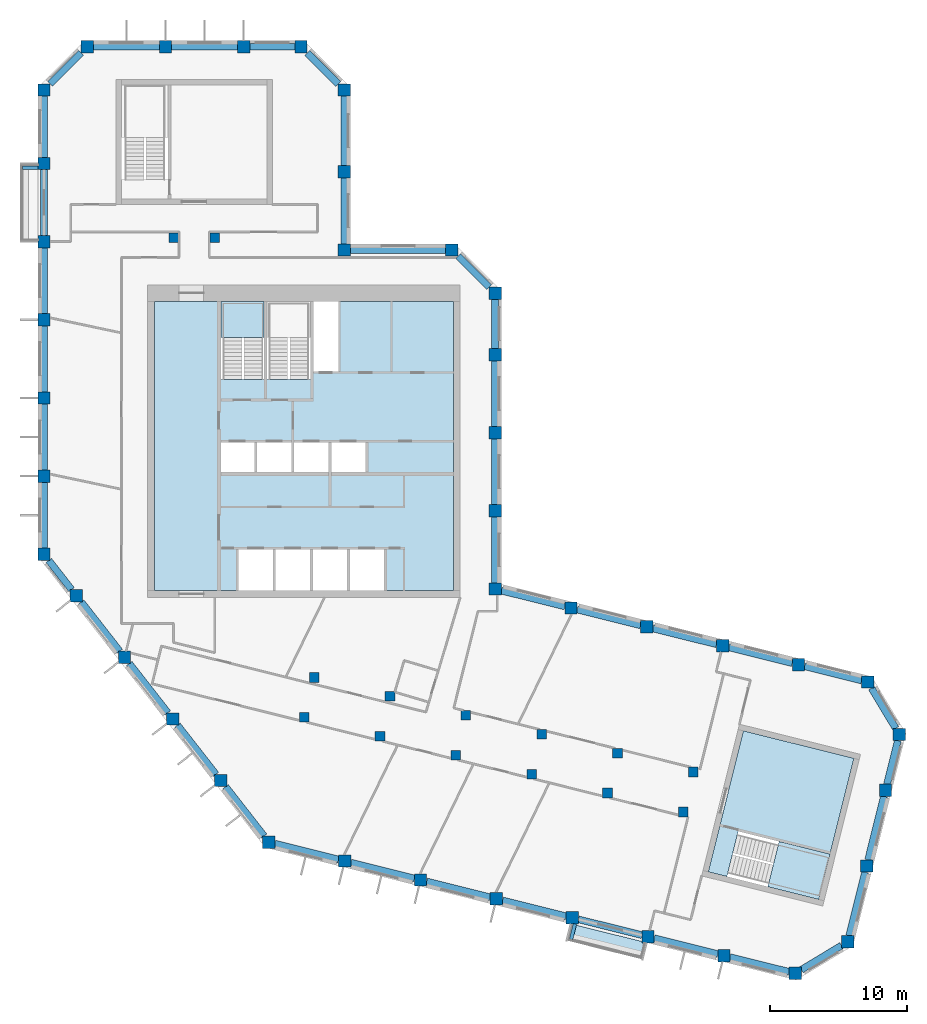
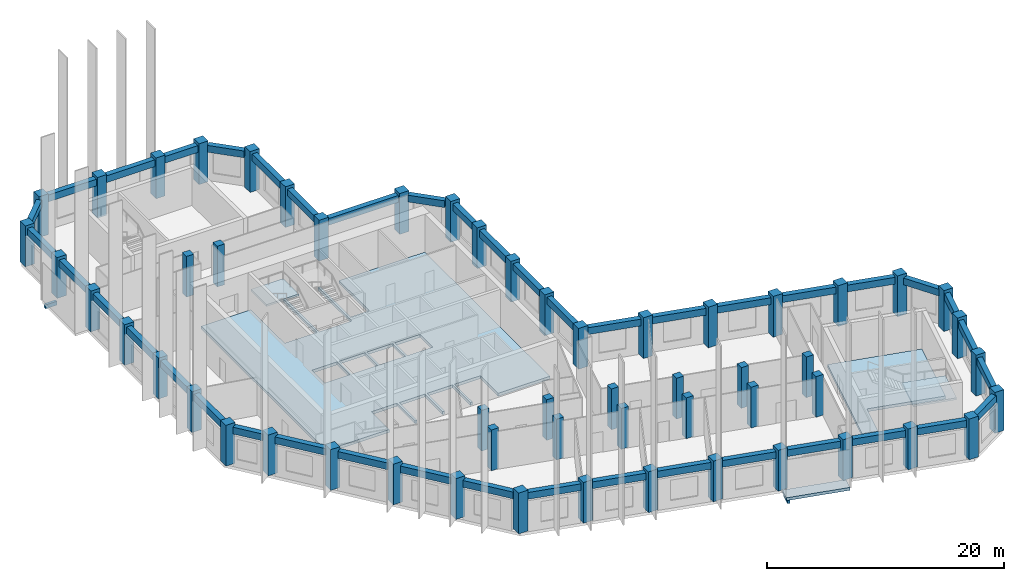
# One storey, part 1 of 8: 55 columns, 43 beams, 5 slabs, 2 elements without a shape of their own.
"""IFC4 building model written with IfcOpenShell, lengths in metres."""

from ifc_helpers import new_model, si_unit, direction, frame, origin, origin_2d, place, context, subcontext, project, spatial, polyline, rectangle, outline, extrude, material, layer, layer_set, material_profile, profile_set, type_object, element, aggregate, save


model = new_model("IFC4")

# Units and contexts
model_context = context("Model", 3, precision=1e-05, world=origin(), true_north=direction((0.0, 1.0)))
body_context = subcontext(model_context, "Body", "Model", "MODEL_VIEW")
ifc_project = project(units=[si_unit("LENGTHUNIT", "METRE"), si_unit("AREAUNIT", "SQUARE_METRE"), si_unit("VOLUMEUNIT", "CUBIC_METRE"), si_unit("PLANEANGLEUNIT", "RADIAN"), si_unit("MASSUNIT", "GRAM", prefix="KILO")], contexts=[model_context])

# Site, building, storey
site_placement = place(None, origin())
site = spatial("IfcSite", under=ifc_project, at=site_placement, CompositionType="ELEMENT")
building_placement = place(site_placement, origin())
building = spatial("IfcBuilding", under=site, at=building_placement, Name="Meshkara Civic Tower", CompositionType="ELEMENT")
storey_placement = place(building_placement, frame((0.0, 0.0, 370.800048828125)))
storey = spatial("IfcBuildingStorey", under=building, at=storey_placement, Name="L85", CompositionType="ELEMENT", Elevation=370.800048828125)

# Columns
ifc_material_1 = material(Name="Concrete C50", Category="concrete")
ifc_material_profile_1 = material_profile(ifc_material_1, rectangle(XDim=0.699951171875, YDim=0.699951171875, at=origin_2d()))
ifc_profile_set_1 = profile_set([ifc_material_profile_1], Name="Concrete C50")
column_type_1 = type_object("IfcColumnType", Name="Interior column RC 700x700 C50", PredefinedType="COLUMN", material=ifc_profile_set_1)
for number, where, z_axis, x_axis, name in (
    (1, (9.89990234375, 40.35009765625, 0.0), (0.0, 0.0, 1.0), (1.0, 0.0, 0.0), "Column SA1-04 L85"),
    (2, (12.89990234375, 40.35009765625, 0.0), (0.0, 0.0, 1.0), (1.0, 0.0, 0.0), "Column SA2-04 L85"),
    (3, (19.424072265625, 5.360107421875, 0.0), (0.0, 0.0, 1.0), (1.0, 0.0, 0.0), "Column SB1-00 L85"),
    (4, (24.9541015625, 3.98095703125, 0.0), (0.0, 0.0, 1.0), (1.0, 0.0, 0.0), "Column SB1-01 L85"),
    (5, (30.485107421875, 2.60205078125, 0.0), (0.0, 0.0, 1.0), (1.0, 0.0, 0.0), "Column SB1-02 L85"),
    (6, (36.01611328125, 1.222900390625, 0.0), (0.0, 0.0, 1.0), (1.0, 0.0, 0.0), "Column SB1-03 L85"),
    (7, (41.5458984375, -0.156005859375, 0.0), (0.0, 0.0, 1.0), (1.0, 0.0, 0.0), "Column SB1-04 L85"),
    (8, (47.076904296875, -1.534912109375, 0.0), (0.0, 0.0, 1.0), (1.0, 0.0, 0.0), "Column SB1-05 L85"),
    (9, (20.14892578125, 8.27099609375, 0.0), (0.0, 0.0, 1.0), (1.0, 0.0, 0.0), "Column SB2-00 L85"),
    (10, (25.679931640625, 6.89208984375, 0.0), (0.0, 0.0, 1.0), (1.0, 0.0, 0.0), "Column SB2-01 L85"),
    (11, (31.2109375, 5.512939453125, 0.0), (0.0, 0.0, 1.0), (1.0, 0.0, 0.0), "Column SB2-02 L85"),
    (12, (36.741943359375, 4.134033203125, 0.0), (0.0, 0.0, 1.0), (1.0, 0.0, 0.0), "Column SB2-03 L85"),
    (13, (42.27197265625, 2.7548828125, 0.0), (0.0, 0.0, 1.0), (1.0, 0.0, 0.0), "Column SB2-04 L85"),
    (14, (47.802978515625, 1.3759765625, 0.0), (0.0, 0.0, 1.0), (1.0, 0.0, 0.0), "Column SB2-05 L85"),
):
    element("IfcColumn", number, at=place(storey_placement, frame(where, z_axis=z_axis, x_axis=x_axis)), inside=storey, type_object=column_type_1, Name=name, PredefinedType="COLUMN", context=body_context, shape_type="SweptSolid", body=[
        extrude(rectangle(XDim=0.699951171875, YDim=0.699951171875, at=origin_2d()), origin(), (0.0, 0.0, 1.0), 4.199951171875),
    ])
ifc_material_2 = material(Name="Concrete C50", Category="concrete")
ifc_material_profile_2 = material_profile(ifc_material_2, rectangle(XDim=0.89990234375, YDim=0.89990234375, at=origin_2d()))
ifc_profile_set_2 = profile_set([ifc_material_profile_2], Name="Concrete C50")
column_type_2 = type_object("IfcColumnType", Name="Perimeter column RC 900x900 C50", PredefinedType="COLUMN", material=ifc_profile_set_2)
for number, where, z_axis, x_axis, name in (
    (15, (33.35009765625, 14.718994140625, 0.0), (0.0, 0.0, 1.0), (1.0, 0.0, 0.0), "Column HE00 L85"),
    (16, (33.35009765625, 20.4189453125, 0.0), (0.0, 0.0, 1.0), (1.0, 0.0, 0.0), "Column HE01 L85"),
    (17, (33.35009765625, 26.118896484375, 0.0), (0.0, 0.0, 1.0), (1.0, 0.0, 0.0), "Column HE02 L85"),
    (18, (33.35009765625, 31.819091796875, 0.0), (0.0, 0.0, 1.0), (1.0, 0.0, 0.0), "Column HE03 L85"),
    (19, (33.35009765625, 36.2939453125, 0.0), (0.0, 0.0, 1.0), (1.0, 0.0, 0.0), "Column HEE L85"),
    (20, (30.194091796875, 39.449951171875, 0.0), (0.0, 0.0, 1.0), (1.0, 0.0, 0.0), "Column HCeE L85"),
    (21, (22.35009765625, 39.449951171875, 0.0), (0.0, 0.0, 1.0), (1.0, 0.0, 0.0), "Column HN00 L85"),
    (22, (22.35009765625, 45.14990234375, 0.0), (0.0, 0.0, 1.0), (1.0, 0.0, 0.0), "Column AE01 L85"),
    (23, (22.35009765625, 51.114013671875, 0.0), (0.0, 0.0, 1.0), (1.0, 0.0, 0.0), "Column AEEP5 L85"),
    (24, (19.194091796875, 54.27001953125, 0.0), (0.0, 0.0, 1.0), (1.0, 0.0, 0.0), "Column ATiEP5 L85"),
    (25, (3.60595703125, 54.27001953125, 0.0), (0.0, 0.0, 1.0), (1.0, 0.0, 0.0), "Column AT00-P5 L85"),
    (26, (9.305908203125, 54.27001953125, 0.0), (0.0, 0.0, 1.0), (1.0, 0.0, 0.0), "Column AT01-P5 L85"),
    (27, (15.006103515625, 54.27001953125, 0.0), (0.0, 0.0, 1.0), (1.0, 0.0, 0.0), "Column AT02-P5 L85"),
    (28, (0.449951171875, 51.114013671875, 0.0), (0.0, 0.0, 1.0), (1.0, 0.0, 0.0), "Column ATo00-P5 L85"),
    (29, (0.449951171875, 17.2548828125, 0.0), (0.0, 0.0, 1.0), (1.0, 0.0, 0.0), "Column AW00 L85"),
    (30, (0.449951171875, 22.955078125, 0.0), (0.0, 0.0, 1.0), (1.0, 0.0, 0.0), "Column AW01 L85"),
    (31, (0.449951171875, 28.655029296875, 0.0), (0.0, 0.0, 1.0), (1.0, 0.0, 0.0), "Column AW02 L85"),
    (32, (0.449951171875, 34.35498046875, 0.0), (0.0, 0.0, 1.0), (1.0, 0.0, 0.0), "Column AW03 L85"),
    (33, (0.449951171875, 40.054931640625, 0.0), (0.0, 0.0, 1.0), (1.0, 0.0, 0.0), "Column AW04 L85"),
    (34, (0.449951171875, 45.7548828125, 0.0), (0.0, 0.0, 1.0), (1.0, 0.0, 0.0), "Column AW05 L85"),
    (35, (16.85107421875, -3.738037109375, 0.0), (0.0, 0.0, 1.0), (1.0, 0.0, 0.0), "Column BOW00 L85"),
    (36, (13.342041015625, 0.75390625, 0.0), (0.0, 0.0, 1.0), (1.0, 0.0, 0.0), "Column BOW01 L85"),
    (37, (9.8330078125, 5.2451171875, 0.0), (0.0, 0.0, 1.0), (1.0, 0.0, 0.0), "Column BOW02 L85"),
    (38, (6.322998046875, 9.737060546875, 0.0), (0.0, 0.0, 1.0), (1.0, 0.0, 0.0), "Column BOW03 L85"),
    (39, (2.81396484375, 14.22900390625, 0.0), (0.0, 0.0, 1.0), (1.0, 0.0, 0.0), "Column BOW04 L85"),
    (40, (22.382080078125, -5.116943359375, 0.0), (0.0, 0.0, 1.0), (1.0, 0.0, 0.0), "Column BS01 L85"),
    (41, (27.912109375, -6.49609375, 0.0), (0.0, 0.0, 1.0), (1.0, 0.0, 0.0), "Column BS02 L85"),
    (42, (33.443115234375, -7.875, 0.0), (0.0, 0.0, 1.0), (1.0, 0.0, 0.0), "Column BS03 L85"),
    (43, (38.97412109375, -9.25390625, 0.0), (0.0, 0.0, 1.0), (1.0, 0.0, 0.0), "Column BS04 L85"),
    (44, (44.50390625, -10.633056640625, 0.0), (0.0, 0.0, 1.0), (1.0, 0.0, 0.0), "Column BS05-P4 L85"),
    (45, (50.034912109375, -12.011962890625, 0.0), (0.0, 0.0, 1.0), (1.0, 0.0, 0.0), "Column BS06-P4 L85"),
    (46, (55.235107421875, -13.30810546875, 0.0), (0.0, 0.0, 1.0), (1.0, 0.0, 0.0), "Column BSEP5 L85"),
    (47, (59.06103515625, -11.009033203125, 0.0), (0.0, 0.0, 1.0), (1.0, 0.0, 0.0), "Column BToEP5 L85"),
    (48, (60.43994140625, -5.47802734375, 0.0), (0.0, 0.0, 1.0), (1.0, 0.0, 0.0), "Column BT01-P5 L85"),
    (49, (61.819091796875, 0.052001953125, 0.0), (0.0, 0.0, 1.0), (1.0, 0.0, 0.0), "Column BT02-P5 L85"),
    (50, (62.83203125, 4.114990234375, 0.0), (0.0, 0.0, 1.0), (1.0, 0.0, 0.0), "Column BTEP5 L85"),
    (51, (60.532958984375, 7.94091796875, 0.0), (0.0, 0.0, 1.0), (1.0, 0.0, 0.0), "Column BTi00-P5 L85"),
    (52, (38.881103515625, 13.340087890625, 0.0), (0.0, 0.0, 1.0), (1.0, 0.0, 0.0), "Column BN01 L85"),
    (53, (44.410888671875, 11.9609375, 0.0), (0.0, 0.0, 1.0), (1.0, 0.0, 0.0), "Column BN02 L85"),
    (54, (49.94189453125, 10.58203125, 0.0), (0.0, 0.0, 1.0), (1.0, 0.0, 0.0), "Column BN03 L85"),
    (55, (55.472900390625, 9.202880859375, 0.0), (0.0, 0.0, 1.0), (1.0, 0.0, 0.0), "Column BN04 L85"),
):
    element("IfcColumn", number, at=place(storey_placement, frame(where, z_axis=z_axis, x_axis=x_axis)), inside=storey, type_object=column_type_2, Name=name, PredefinedType="COLUMN", context=body_context, shape_type="SweptSolid", body=[
        extrude(rectangle(XDim=0.89990234375, YDim=0.89990234375, at=origin_2d()), origin(), (0.0, 0.0, 1.0), 4.199951171875),
    ])

# Beams
ifc_material_3 = material(Name="Concrete C50", Category="concrete")
ifc_material_profile_3 = material_profile(ifc_material_3, rectangle(XDim=0.25, YDim=0.39990234375, at=origin_2d()))
ifc_profile_set_3 = profile_set([ifc_material_profile_3], Name="Concrete C50")
beam_type_1 = type_object("IfcBeamType", Name="Balcony bracket beam RC 250x400 C50", PredefinedType="BEAM", material=ifc_profile_set_3)
beam_1_placement = place(storey_placement, frame((0.0048828125, 45.455078125, -0.5), z_axis=(-1.0, 0.0, 0.0), x_axis=(0.0, -1.0, 0.0)))
element("IfcBeam", 56, at=beam_1_placement, inside=storey, type_object=beam_type_1, Name="Balcony bracket beam", PredefinedType="BEAM", context=body_context, shape_type="SweptSolid", body=[
    extrude(rectangle(XDim=0.25, YDim=0.39990234375, at=origin_2d()), origin(), (0.0, 0.0, 1.0), 1.10498046875),
])
beam_2_placement = place(storey_placement, frame((39.172119140625, -9.698974609375, -0.5), z_axis=(-0.24209211729, -0.970253269382, 0.0), x_axis=(0.970253269382, -0.24209211729, 0.0)))
element("IfcBeam", 57, at=beam_2_placement, inside=storey, type_object=beam_type_1, Name="Balcony bracket beam", PredefinedType="BEAM", context=body_context, shape_type="SweptSolid", body=[
    extrude(rectangle(XDim=0.25, YDim=0.39990234375, at=origin_2d()), origin(), (0.0, 0.0, 1.0), 1.165771484375),
])
ifc_material_4 = material(Name="Concrete C50", Category="concrete")
ifc_material_profile_4 = material_profile(ifc_material_4, rectangle(XDim=0.5, YDim=0.699951171875, at=origin_2d()))
ifc_profile_set_4 = profile_set([ifc_material_profile_4], Name="Concrete C50")
beam_type_2 = type_object("IfcBeamType", Name="Spandrel beam RC 500x700 C50", PredefinedType="BEAM", material=ifc_profile_set_4)
for number, where, z_axis, x_axis, name in (
    (58, (55.02783203125, 9.31396484375, 3.550048828125), (-0.970298442389, 0.241911001604, 0.0), (-0.241911001604, -0.970298442389, 0.0), "Spandrel beam BN03-BN04"),
    (59, (49.496826171875, 10.693115234375, 3.550048828125), (-0.970298442389, 0.241911001604, 0.0), (-0.241911001604, -0.970298442389, 0.0), "Spandrel beam BN02-BN03"),
):
    element("IfcBeam", number, at=place(storey_placement, frame(where, z_axis=z_axis, x_axis=x_axis)), inside=storey, type_object=beam_type_2, Name=name, PredefinedType="BEAM", context=body_context, shape_type="SweptSolid", body=[
        extrude(rectangle(XDim=0.5, YDim=0.699951171875, at=origin_2d()), origin(), (0.0, 0.0, 1.0), 4.78271484375),
    ])
beam_3_placement = place(storey_placement, frame((43.9658203125, 12.072021484375, 3.550048828125), z_axis=(-0.970286489601, 0.241958938867, 0.0), x_axis=(-0.241958938867, -0.970286489601, 0.0)))
element("IfcBeam", 60, at=beam_3_placement, inside=storey, type_object=beam_type_2, Name="Spandrel beam BN01-BN02", PredefinedType="BEAM", context=body_context, shape_type="SweptSolid", body=[
    extrude(rectangle(XDim=0.5, YDim=0.699951171875, at=origin_2d()), origin(), (0.0, 0.0, 1.0), 4.78173828125),
])
beam_4_placement = place(storey_placement, frame((38.435791015625, 13.450927734375, 3.550048828125), z_axis=(-0.970298442389, 0.241911001604, 0.0), x_axis=(-0.241911001604, -0.970298442389, 0.0)))
element("IfcBeam", 61, at=beam_4_placement, inside=storey, type_object=beam_type_2, Name="Spandrel beam BN01-HE00", PredefinedType="BEAM", context=body_context, shape_type="SweptSolid", body=[
    extrude(rectangle(XDim=0.5, YDim=0.699951171875, at=origin_2d()), origin(), (0.0, 0.0, 1.0), 4.78271484375),
])
for number, where, z_axis, x_axis, name in (
    (62, (33.35009765625, 15.1640625, 3.550048828125), (0.0, 1.0, 0.0), (-1.0, 0.0, 0.0), "Spandrel beam HE00-HE01"),
    (63, (33.35009765625, 20.864013671875, 3.550048828125), (0.0, 1.0, 0.0), (-1.0, 0.0, 0.0), "Spandrel beam HE01-HE02"),
    (64, (33.35009765625, 26.56396484375, 3.550048828125), (0.0, 1.0, 0.0), (-1.0, 0.0, 0.0), "Spandrel beam HE02-HE03"),
):
    element("IfcBeam", number, at=place(storey_placement, frame(where, z_axis=z_axis, x_axis=x_axis)), inside=storey, type_object=beam_type_2, Name=name, PredefinedType="BEAM", context=body_context, shape_type="SweptSolid", body=[
        extrude(rectangle(XDim=0.5, YDim=0.699951171875, at=origin_2d()), origin(), (0.0, 0.0, 1.0), 4.81005859375),
    ])
beam_5_placement = place(storey_placement, frame((33.35009765625, 32.263916015625, 3.550048828125), z_axis=(0.0, 1.0, 0.0), x_axis=(-1.0, 0.0, 0.0)))
element("IfcBeam", 65, at=beam_5_placement, inside=storey, type_object=beam_type_2, Name="Spandrel beam HE03-HEE", PredefinedType="BEAM", context=body_context, shape_type="SweptSolid", body=[
    extrude(rectangle(XDim=0.5, YDim=0.699951171875, at=origin_2d()), origin(), (0.0, 0.0, 1.0), 3.585205078125),
])
beam_6_placement = place(storey_placement, frame((32.903564453125, 36.740478515625, 3.550048828125), z_axis=(-0.707144921739, 0.707068638576, 0.0), x_axis=(-0.707068638576, -0.707144921739, 0.0)))
element("IfcBeam", 66, at=beam_6_placement, inside=storey, type_object=beam_type_2, Name="Spandrel beam HCeE-HEE", PredefinedType="BEAM", context=body_context, shape_type="SweptSolid", body=[
    extrude(rectangle(XDim=0.5, YDim=0.699951171875, at=origin_2d()), origin(), (0.0, 0.0, 1.0), 3.200439453125),
])
beam_7_placement = place(storey_placement, frame((29.7490234375, 39.449951171875, 3.550048828125), z_axis=(-1.0, 0.0, 0.0), x_axis=(0.0, -1.0, 0.0)))
element("IfcBeam", 67, at=beam_7_placement, inside=storey, type_object=beam_type_2, Name="Spandrel beam HCeE-HN00", PredefinedType="BEAM", context=body_context, shape_type="SweptSolid", body=[
    extrude(rectangle(XDim=0.5, YDim=0.699951171875, at=origin_2d()), origin(), (0.0, 0.0, 1.0), 6.9541015625),
])
beam_8_placement = place(storey_placement, frame((22.35009765625, 39.89501953125, 3.550048828125), z_axis=(0.0, 1.0, 0.0), x_axis=(-1.0, 0.0, 0.0)))
element("IfcBeam", 68, at=beam_8_placement, inside=storey, type_object=beam_type_2, Name="Spandrel beam AE01-HN00", PredefinedType="BEAM", context=body_context, shape_type="SweptSolid", body=[
    extrude(rectangle(XDim=0.5, YDim=0.699951171875, at=origin_2d()), origin(), (0.0, 0.0, 1.0), 4.81005859375),
])
beam_9_placement = place(storey_placement, frame((22.35009765625, 45.594970703125, 3.550048828125), z_axis=(0.0, 1.0, 0.0), x_axis=(-1.0, 0.0, 0.0)))
element("IfcBeam", 69, at=beam_9_placement, inside=storey, type_object=beam_type_2, Name="Spandrel beam AE01-AEEP5", PredefinedType="BEAM", context=body_context, shape_type="SweptSolid", body=[
    extrude(rectangle(XDim=0.5, YDim=0.699951171875, at=origin_2d()), origin(), (0.0, 0.0, 1.0), 5.073974609375),
])
beam_10_placement = place(storey_placement, frame((21.903564453125, 51.560546875, 3.550048828125), z_axis=(-0.707144921739, 0.707068638576, 0.0), x_axis=(-0.707068638576, -0.707144921739, 0.0)))
element("IfcBeam", 70, at=beam_10_placement, inside=storey, type_object=beam_type_2, Name="Spandrel beam AEEP5-ATiEP5", PredefinedType="BEAM", context=body_context, shape_type="SweptSolid", body=[
    extrude(rectangle(XDim=0.5, YDim=0.699951171875, at=origin_2d()), origin(), (0.0, 0.0, 1.0), 3.200439453125),
])
beam_11_placement = place(storey_placement, frame((18.7490234375, 54.27001953125, 3.550048828125), z_axis=(-1.0, 0.0, 0.0), x_axis=(0.0, -1.0, 0.0)))
element("IfcBeam", 71, at=beam_11_placement, inside=storey, type_object=beam_type_2, Name="Spandrel beam AT02-P5-ATiEP5", PredefinedType="BEAM", context=body_context, shape_type="SweptSolid", body=[
    extrude(rectangle(XDim=0.5, YDim=0.699951171875, at=origin_2d()), origin(), (0.0, 0.0, 1.0), 3.298095703125),
])
for number, where, z_axis, x_axis, name in (
    (72, (14.56103515625, 54.27001953125, 3.550048828125), (-1.0, 0.0, 0.0), (0.0, -1.0, 0.0), "Spandrel beam AT01-P5-AT02-P5"),
    (73, (8.861083984375, 54.27001953125, 3.550048828125), (-1.0, 0.0, 0.0), (0.0, -1.0, 0.0), "Spandrel beam AT00-P5-AT01-P5"),
):
    element("IfcBeam", number, at=place(storey_placement, frame(where, z_axis=z_axis, x_axis=x_axis)), inside=storey, type_object=beam_type_2, Name=name, PredefinedType="BEAM", context=body_context, shape_type="SweptSolid", body=[
        extrude(rectangle(XDim=0.5, YDim=0.699951171875, at=origin_2d()), origin(), (0.0, 0.0, 1.0), 4.81005859375),
    ])
beam_12_placement = place(storey_placement, frame((3.159423828125, 53.823486328125, 3.550048828125), z_axis=(-0.707106781187, -0.707106781187, 0.0), x_axis=(0.707106781187, -0.707106781187, 0.0)))
element("IfcBeam", 74, at=beam_12_placement, inside=storey, type_object=beam_type_2, Name="Spandrel beam AT00-P5-ATo00-P5", PredefinedType="BEAM", context=body_context, shape_type="SweptSolid", body=[
    extrude(rectangle(XDim=0.5, YDim=0.699951171875, at=origin_2d()), origin(), (0.0, 0.0, 1.0), 3.2001953125),
])
beam_13_placement = place(storey_placement, frame((0.449951171875, 50.6689453125, 3.550048828125), z_axis=(0.0, -1.0, 0.0), x_axis=(1.0, 0.0, 0.0)))
element("IfcBeam", 75, at=beam_13_placement, inside=storey, type_object=beam_type_2, Name="Spandrel beam ATo00-P5-AW05", PredefinedType="BEAM", context=body_context, shape_type="SweptSolid", body=[
    extrude(rectangle(XDim=0.5, YDim=0.699951171875, at=origin_2d()), origin(), (0.0, 0.0, 1.0), 4.468994140625),
])
for number, where, z_axis, x_axis, name in (
    (76, (0.449951171875, 45.31005859375, 3.550048828125), (0.0, -1.0, 0.0), (1.0, 0.0, 0.0), "Spandrel beam AW04-AW05"),
    (77, (0.449951171875, 39.610107421875, 3.550048828125), (0.0, -1.0, 0.0), (1.0, 0.0, 0.0), "Spandrel beam AW03-AW04"),
):
    element("IfcBeam", number, at=place(storey_placement, frame(where, z_axis=z_axis, x_axis=x_axis)), inside=storey, type_object=beam_type_2, Name=name, PredefinedType="BEAM", context=body_context, shape_type="SweptSolid", body=[
        extrude(rectangle(XDim=0.5, YDim=0.699951171875, at=origin_2d()), origin(), (0.0, 0.0, 1.0), 4.81005859375),
    ])
beam_14_placement = place(storey_placement, frame((0.449951171875, 33.909912109375, 3.550048828125), z_axis=(0.0, -1.0, 0.0), x_axis=(1.0, 0.0, 0.0)))
element("IfcBeam", 78, at=beam_14_placement, inside=storey, type_object=beam_type_2, Name="Spandrel beam AW02-AW03", PredefinedType="BEAM", context=body_context, shape_type="SweptSolid", body=[
    extrude(rectangle(XDim=0.5, YDim=0.699951171875, at=origin_2d()), origin(), (0.0, 0.0, 1.0), 4.809814453125),
])
for number, where, z_axis, x_axis, name in (
    (79, (0.449951171875, 28.2099609375, 3.550048828125), (0.0, -1.0, 0.0), (1.0, 0.0, 0.0), "Spandrel beam AW01-AW02"),
    (80, (0.449951171875, 22.510009765625, 3.550048828125), (0.0, -1.0, 0.0), (1.0, 0.0, 0.0), "Spandrel beam AW00-AW01"),
):
    element("IfcBeam", number, at=place(storey_placement, frame(where, z_axis=z_axis, x_axis=x_axis)), inside=storey, type_object=beam_type_2, Name=name, PredefinedType="BEAM", context=body_context, shape_type="SweptSolid", body=[
        extrude(rectangle(XDim=0.5, YDim=0.699951171875, at=origin_2d()), origin(), (0.0, 0.0, 1.0), 4.81005859375),
    ])
beam_15_placement = place(storey_placement, frame((0.798583984375, 16.808837890625, 3.550048828125), z_axis=(0.615637043197, -0.788029841468, 0.0), x_axis=(0.788029841468, 0.615637043197, 0.0)))
element("IfcBeam", 81, at=beam_15_placement, inside=storey, type_object=beam_type_2, Name="Spandrel beam AW00-BOW04", PredefinedType="BEAM", context=body_context, shape_type="SweptSolid", body=[
    extrude(rectangle(XDim=0.5, YDim=0.699951171875, at=origin_2d()), origin(), (0.0, 0.0, 1.0), 2.707763671875),
])
beam_16_placement = place(storey_placement, frame((3.162353515625, 13.782958984375, 3.550048828125), z_axis=(0.615626410665, -0.788038147865, 0.0), x_axis=(0.788038147865, 0.615626410665, 0.0)))
element("IfcBeam", 82, at=beam_16_placement, inside=storey, type_object=beam_type_2, Name="Spandrel beam BOW03-BOW04", PredefinedType="BEAM", context=body_context, shape_type="SweptSolid", body=[
    extrude(rectangle(XDim=0.5, YDim=0.699951171875, at=origin_2d()), origin(), (0.0, 0.0, 1.0), 4.568115234375),
])
beam_17_placement = place(storey_placement, frame((6.67138671875, 9.291015625, 3.550048828125), z_axis=(0.615759141311, -0.787934438829, 0.0), x_axis=(0.787934438829, 0.615759141311, 0.0)))
element("IfcBeam", 83, at=beam_17_placement, inside=storey, type_object=beam_type_2, Name="Spandrel beam BOW02-BOW03", PredefinedType="BEAM", context=body_context, shape_type="SweptSolid", body=[
    extrude(rectangle(XDim=0.5, YDim=0.699951171875, at=origin_2d()), origin(), (0.0, 0.0, 1.0), 4.568603515625),
])
beam_18_placement = place(storey_placement, frame((10.181396484375, 4.798828125, 3.550048828125), z_axis=(0.615722879711, -0.78796277539, 0.0), x_axis=(0.78796277539, 0.615722879711, 0.0)))
element("IfcBeam", 84, at=beam_18_placement, inside=storey, type_object=beam_type_2, Name="Spandrel beam BOW01-BOW02", PredefinedType="BEAM", context=body_context, shape_type="SweptSolid", body=[
    extrude(rectangle(XDim=0.5, YDim=0.699951171875, at=origin_2d()), origin(), (0.0, 0.0, 1.0), 4.56689453125),
])
beam_19_placement = place(storey_placement, frame((13.6904296875, 0.307861328125, 3.550048828125), z_axis=(0.615626410665, -0.788038147865, 0.0), x_axis=(0.788038147865, 0.615626410665, 0.0)))
element("IfcBeam", 85, at=beam_19_placement, inside=storey, type_object=beam_type_2, Name="Spandrel beam BOW00-BOW01", PredefinedType="BEAM", context=body_context, shape_type="SweptSolid", body=[
    extrude(rectangle(XDim=0.5, YDim=0.699951171875, at=origin_2d()), origin(), (0.0, 0.0, 1.0), 4.568115234375),
])
beam_20_placement = place(storey_placement, frame((17.296142578125, -3.84912109375, 3.550048828125), z_axis=(0.970301429476, -0.241899020164, 0.0), x_axis=(0.241899020164, 0.970301429476, 0.0)))
element("IfcBeam", 86, at=beam_20_placement, inside=storey, type_object=beam_type_2, Name="Spandrel beam BOW00-BS01", PredefinedType="BEAM", context=body_context, shape_type="SweptSolid", body=[
    extrude(rectangle(XDim=0.5, YDim=0.699951171875, at=origin_2d()), origin(), (0.0, 0.0, 1.0), 4.782958984375),
])
beam_21_placement = place(storey_placement, frame((22.8271484375, -5.22802734375, 3.550048828125), z_axis=(0.970286489601, -0.241958938867, 0.0), x_axis=(0.241958938867, 0.970286489601, 0.0)))
element("IfcBeam", 87, at=beam_21_placement, inside=storey, type_object=beam_type_2, Name="Spandrel beam BS01-BS02", PredefinedType="BEAM", context=body_context, shape_type="SweptSolid", body=[
    extrude(rectangle(XDim=0.5, YDim=0.699951171875, at=origin_2d()), origin(), (0.0, 0.0, 1.0), 4.78173828125),
])
for number, where, z_axis, x_axis, name in (
    (88, (28.357177734375, -6.60693359375, 3.550048828125), (0.970298442389, -0.241911001604, 0.0), (0.241911001604, 0.970298442389, 0.0), "Spandrel beam BS02-BS03"),
    (89, (33.88818359375, -7.986083984375, 3.550048828125), (0.970298442389, -0.241911001604, 0.0), (0.241911001604, 0.970298442389, 0.0), "Spandrel beam BS03-BS04"),
):
    element("IfcBeam", number, at=place(storey_placement, frame(where, z_axis=z_axis, x_axis=x_axis)), inside=storey, type_object=beam_type_2, Name=name, PredefinedType="BEAM", context=body_context, shape_type="SweptSolid", body=[
        extrude(rectangle(XDim=0.5, YDim=0.699951171875, at=origin_2d()), origin(), (0.0, 0.0, 1.0), 4.78271484375),
    ])
beam_22_placement = place(storey_placement, frame((39.419189453125, -9.364990234375, 3.550048828125), z_axis=(0.970286489601, -0.241958938867, 0.0), x_axis=(0.241958938867, 0.970286489601, 0.0)))
element("IfcBeam", 90, at=beam_22_placement, inside=storey, type_object=beam_type_2, Name="Spandrel beam BS04-BS05-P4", PredefinedType="BEAM", context=body_context, shape_type="SweptSolid", body=[
    extrude(rectangle(XDim=0.5, YDim=0.699951171875, at=origin_2d()), origin(), (0.0, 0.0, 1.0), 4.78173828125),
])
beam_23_placement = place(storey_placement, frame((44.94921875, -10.743896484375, 3.550048828125), z_axis=(0.970298442389, -0.241911001604, 0.0), x_axis=(0.241911001604, 0.970298442389, 0.0)))
element("IfcBeam", 91, at=beam_23_placement, inside=storey, type_object=beam_type_2, Name="Spandrel beam BS05-P4-BS06-P4", PredefinedType="BEAM", context=body_context, shape_type="SweptSolid", body=[
    extrude(rectangle(XDim=0.5, YDim=0.699951171875, at=origin_2d()), origin(), (0.0, 0.0, 1.0), 4.78271484375),
])
beam_24_placement = place(storey_placement, frame((50.47998046875, -12.122802734375, 3.550048828125), z_axis=(0.97031362237, -0.241850106975, 0.0), x_axis=(0.241850106975, 0.97031362237, 0.0)))
element("IfcBeam", 92, at=beam_24_placement, inside=storey, type_object=beam_type_2, Name="Spandrel beam BS06-P4-BSEP5", PredefinedType="BEAM", context=body_context, shape_type="SweptSolid", body=[
    extrude(rectangle(XDim=0.5, YDim=0.699951171875, at=origin_2d()), origin(), (0.0, 0.0, 1.0), 4.441650390625),
])
beam_25_placement = place(storey_placement, frame((55.6806640625, -13.040283203125, 3.550048828125), z_axis=(0.857146668312, 0.515072411416, 0.0), x_axis=(-0.515072411416, 0.857146668312, 0.0)))
element("IfcBeam", 93, at=beam_25_placement, inside=storey, type_object=beam_type_2, Name="Spandrel beam BSEP5-BToEP5", PredefinedType="BEAM", context=body_context, shape_type="SweptSolid", body=[
    extrude(rectangle(XDim=0.5, YDim=0.699951171875, at=origin_2d()), origin(), (0.0, 0.0, 1.0), 3.423583984375),
])
beam_26_placement = place(storey_placement, frame((59.172119140625, -10.56396484375, 3.550048828125), z_axis=(0.241899020164, 0.970301429476, 0.0), x_axis=(-0.970301429476, 0.241899020164, 0.0)))
element("IfcBeam", 94, at=beam_26_placement, inside=storey, type_object=beam_type_2, Name="Spandrel beam BT01-P5-BToEP5", PredefinedType="BEAM", context=body_context, shape_type="SweptSolid", body=[
    extrude(rectangle(XDim=0.5, YDim=0.699951171875, at=origin_2d()), origin(), (0.0, 0.0, 1.0), 4.782958984375),
])
beam_27_placement = place(storey_placement, frame((60.551025390625, -5.032958984375, 3.550048828125), z_axis=(0.241946952825, 0.970289478464, 0.0), x_axis=(-0.970289478464, 0.241946952825, 0.0)))
element("IfcBeam", 95, at=beam_27_placement, inside=storey, type_object=beam_type_2, Name="Spandrel beam BT01-P5-BT02-P5", PredefinedType="BEAM", context=body_context, shape_type="SweptSolid", body=[
    extrude(rectangle(XDim=0.5, YDim=0.699951171875, at=origin_2d()), origin(), (0.0, 0.0, 1.0), 4.781982421875),
])
beam_28_placement = place(storey_placement, frame((61.929931640625, 0.4970703125, 3.550048828125), z_axis=(0.241903146974, 0.970300400641, 0.0), x_axis=(-0.970300400641, 0.241903146974, 0.0)))
element("IfcBeam", 96, at=beam_28_placement, inside=storey, type_object=beam_type_2, Name="Spandrel beam BT02-P5-BTEP5", PredefinedType="BEAM", context=body_context, shape_type="SweptSolid", body=[
    extrude(rectangle(XDim=0.5, YDim=0.699951171875, at=origin_2d()), origin(), (0.0, 0.0, 1.0), 3.27001953125),
])
beam_29_placement = place(storey_placement, frame((62.564208984375, 4.560791015625, 3.550048828125), z_axis=(-0.515072411416, 0.857146668312, 0.0), x_axis=(-0.857146668312, -0.515072411416, 0.0)))
element("IfcBeam", 97, at=beam_29_placement, inside=storey, type_object=beam_type_2, Name="Spandrel beam BTEP5-BTi00-P5", PredefinedType="BEAM", context=body_context, shape_type="SweptSolid", body=[
    extrude(rectangle(XDim=0.5, YDim=0.699951171875, at=origin_2d()), origin(), (0.0, 0.0, 1.0), 3.423583984375),
])
beam_30_placement = place(storey_placement, frame((60.087890625, 8.052001953125, 3.550048828125), z_axis=(-0.970272690872, 0.242014266826, 0.0), x_axis=(-0.242014266826, -0.970272690872, 0.0)))
element("IfcBeam", 98, at=beam_30_placement, inside=storey, type_object=beam_type_2, Name="Spandrel beam BN04-BTi00-P5", PredefinedType="BEAM", context=body_context, shape_type="SweptSolid", body=[
    extrude(rectangle(XDim=0.5, YDim=0.699951171875, at=origin_2d()), origin(), (0.0, 0.0, 1.0), 4.29736328125),
])

# Slabs
ifc_material_5 = material(Name="Concrete C40", Category="concrete")
ifc_layer_1 = layer(ifc_material_5, 0.300048828125)
ifc_layer_set_1 = layer_set([ifc_layer_1], Name="BALCONY SLAB")
slab_type_1 = type_object("IfcSlabType", Name="BALCONY SLAB", PredefinedType="FLOOR", material=ifc_layer_set_1)
slab_1_placement = place(storey_placement, frame((0.0, 0.0, -0.300048828125)))
element("IfcSlab", 99, at=slab_1_placement, inside=storey, type_object=slab_type_1, Name="Balcony slab", PredefinedType="FLOOR", context=body_context, shape_type="SweptSolid", body=[
    extrude(outline(polyline([(44.047119140625, -12.218994140625), (38.633056640625, -10.868896484375), (38.923095703125, -9.705078125), (44.053955078125, -10.98388671875), (44.053955078125, -11.0830078125), (44.330078125, -11.0830078125), (44.047119140625, -12.218994140625)])), origin(), (0.0, 0.0, 1.0), 0.300048828125),
])
ifc_material_6 = material(Name="Concrete C40/50", Category="concrete")
ifc_layer_2 = layer(ifc_material_6, 0.300048828125)
ifc_layer_set_2 = layer_set([ifc_layer_2], Name="Core floor slab 300 C40/50")
slab_type_2 = type_object("IfcSlabType", Name="Core floor slab 300 C40/50", PredefinedType="FLOOR", material=ifc_layer_set_2)
slab_2_placement = place(storey_placement, frame((0.0, 0.0, -0.300048828125)))
element("IfcSlab", 100, at=slab_2_placement, inside=storey, type_object=slab_type_2, Name="Core floor K", PredefinedType="FLOOR", context=body_context, shape_type="SweptSolid", body=[
    extrude(outline(polyline([(8.5, 35.699951171875), (13.35009765625, 35.699951171875), (13.35009765625, 30.00146484375), (16.5, 30.00146484375), (16.5, 35.699951171875), (16.699951171875, 35.699951171875), (16.699951171875, 30.00146484375), (19.89990234375, 30.00146484375), (19.89990234375, 35.699951171875), (20.10009765625, 35.699951171875), (20.10009765625, 30.574951171875), (21.925048828125, 30.574951171875), (21.925048828125, 35.699951171875), (30.300048828125, 35.699951171875), (30.300048828125, 14.60009765625), (25.25, 14.60009765625), (25.25, 17.60009765625), (22.75, 17.60009765625), (22.75, 14.60009765625), (22.550048828125, 14.60009765625), (22.550048828125, 17.60009765625), (20.050048828125, 17.60009765625), (20.050048828125, 14.60009765625), (19.85009765625, 14.60009765625), (19.85009765625, 17.60009765625), (17.35009765625, 17.60009765625), (17.35009765625, 14.60009765625), (17.14990234375, 14.60009765625), (17.14990234375, 17.60009765625), (14.64990234375, 17.60009765625), (14.64990234375, 14.60009765625), (8.5, 14.60009765625), (8.5, 35.699951171875)]), holes=[polyline([(13.35009765625, 23.25), (15.800048828125, 23.25), (15.800048828125, 25.39990234375), (13.35009765625, 25.39990234375), (13.35009765625, 23.25)]), polyline([(18.5, 23.25), (18.5, 25.39990234375), (16.0, 25.39990234375), (16.0, 23.25), (18.5, 23.25)]), polyline([(18.699951171875, 23.25), (21.199951171875, 23.25), (21.199951171875, 25.39990234375), (18.699951171875, 25.39990234375), (18.699951171875, 23.25)]), polyline([(21.39990234375, 23.25), (23.89990234375, 23.25), (23.89990234375, 25.39990234375), (21.39990234375, 25.39990234375), (21.39990234375, 23.25)])]), origin(), (0.0, 0.0, 1.0), 0.300048828125),
])
slab_3_placement = place(storey_placement, frame((0.0, 0.0, -0.300048828125)))
element("IfcSlab", 101, at=slab_3_placement, inside=storey, type_object=slab_type_2, Name="Core floor EB", PredefinedType="FLOOR", context=body_context, shape_type="SweptSolid", body=[
    extrude(outline(polyline([(51.45849609375, 4.381103515625), (59.511962890625, 2.373291015625), (57.77001953125, -4.61279296875), (51.076416015625, -2.944091796875), (50.25390625, -6.242919921875), (48.89404296875, -5.90380859375), (51.45849609375, 4.381103515625)])), origin(), (0.0, 0.0, 1.0), 0.300048828125),
])

# Stair, slab
ifc_material_7 = material(Name="Precast concrete C40/50", Category="concrete")
stair_type = type_object("IfcStairType", Name="Exit stair half-turn 24 risers precast", PredefinedType="HALF_TURN_STAIR", material=ifc_material_7)
stair_1_placement = place(storey_placement, origin())
stair_1 = element("IfcStair", 102, at=stair_1_placement, inside=storey, type_object=stair_type, Name="L85 exit stair 1", PredefinedType="HALF_TURN_STAIR")
ifc_material_8 = material(Name="Precast concrete C40/50", Category="concrete")
ifc_layer_3 = layer(ifc_material_8, 0.199951171875)
ifc_layer_set_3 = layer_set([ifc_layer_3], Name="Exit stair landing 200")
slab_type_3 = type_object("IfcSlabType", Name="Exit stair landing 200", PredefinedType="LANDING", material=ifc_layer_set_3)
slab_4_placement = place(storey_placement, frame((0.0, 0.0, 1.89990234375)))
slab_4 = element("IfcSlab", 103, at=slab_4_placement, type_object=slab_type_3, Name="ST1 landing 1", PredefinedType="LANDING", context=body_context, shape_type="SweptSolid", body=[
    extrude(outline(polyline([(16.5, 33.07861328125), (16.5, 35.699951171875), (13.35009765625, 35.699951171875), (13.35009765625, 33.07861328125), (16.5, 33.07861328125)])), origin(), (0.0, 0.0, 1.0), 0.199951171875),
])
aggregate(stair_1, [slab_4])

stair_2_placement = place(storey_placement, origin())
stair_2 = element("IfcStair", 104, at=stair_2_placement, inside=storey, type_object=stair_type, Name="L85 exit stair B from L80", PredefinedType="HALF_TURN_STAIR")
slab_5_placement = place(storey_placement, frame((0.0, 0.0, 1.89990234375)))
slab_5 = element("IfcSlab", 105, at=slab_5_placement, type_object=slab_type_3, Name="ESB6 landing 1", PredefinedType="LANDING", context=body_context, shape_type="SweptSolid", body=[
    extrude(outline(polyline([(53.2392578125, -6.987548828125), (56.947998046875, -7.912109375), (57.7705078125, -4.612060546875), (54.0615234375, -3.687744140625), (53.2392578125, -6.987548828125)])), origin(), (0.0, 0.0, 1.0), 0.199951171875),
])
aggregate(stair_2, [slab_5])

save(model, "model.ifc")
